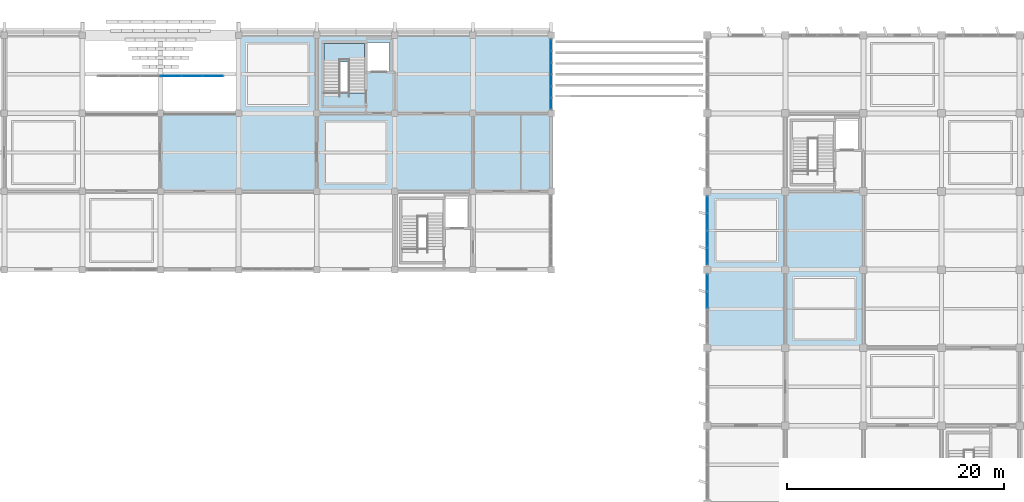
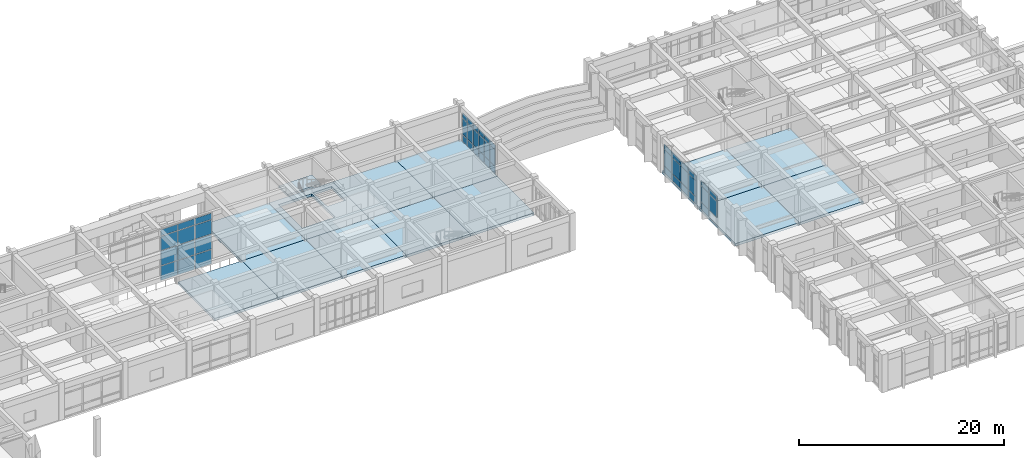
# One storey, part 48 of 81: 47 plates, 14 slabs, 5 elements without a shape of their own.
"""IFC4 building model written with IfcOpenShell, lengths in metres."""

from ifc_helpers import new_model, si_unit, direction, frame, origin, origin_2d, place, context, subcontext, project, spatial, polyline, rectangle, outline, extrude, material, layer, layer_set, type_object, element, aggregate, save


model = new_model("IFC4")

# Units and contexts
model_context = context("Model", 3, precision=1e-05, world=origin(), true_north=direction((0.0, 1.0)))
body_context = subcontext(model_context, "Body", "Model", "MODEL_VIEW")
ifc_project = project(units=[si_unit("LENGTHUNIT", "METRE"), si_unit("AREAUNIT", "SQUARE_METRE"), si_unit("VOLUMEUNIT", "CUBIC_METRE"), si_unit("PLANEANGLEUNIT", "RADIAN"), si_unit("MASSUNIT", "GRAM", prefix="KILO")], contexts=[model_context])

# Site, building, storey
site_placement = place(None, origin())
site = spatial("IfcSite", under=ifc_project, at=site_placement, CompositionType="ELEMENT")
building_placement = place(site_placement, origin())
building = spatial("IfcBuilding", under=site, at=building_placement, Name="Kavelor Marine Aquarium", CompositionType="ELEMENT")
storey_placement = place(building_placement, frame((0.0, 0.0, 4.679931640625)))
storey = spatial("IfcBuildingStorey", under=building, at=storey_placement, Name="L01", CompositionType="ELEMENT", Elevation=4.679931640625)

# Curtain wall, plates
ifc_material_1 = material(Name="Thermally Broken Aluminium and Low-E Glass", Category="aluminium")
ifc_layer_1 = layer(ifc_material_1, 0.283935546875)
ifc_layer_set_1 = layer_set([ifc_layer_1], Name="CW-SYS18")
curtain_wall_type_1 = type_object("IfcCurtainWallType", Name="CW-SYS18", PredefinedType="USERDEFINED", material=ifc_layer_set_1)
curtain_wall_1_placement = place(storey_placement, origin())
curtain_wall_1 = element("IfcCurtainWall", 1, at=curtain_wall_1_placement, inside=storey, type_object=curtain_wall_type_1, Name="cw:portal:north:screen", ObjectType="Curtain Wall", PredefinedType="USERDEFINED")
ifc_material_2 = material(Name="Solar-Control Double Low-E Glazing", Category="glass")
ifc_layer_2 = layer(ifc_material_2, 0.035888671875)
ifc_layer_set_2 = layer_set([ifc_layer_2], Name="CWP-06")
plate_type_1 = type_object("IfcPlateType", Name="CWP-06", PredefinedType="CURTAIN_PANEL", material=ifc_layer_set_2)
plate_1_placement = place(storey_placement, frame((68.966552734375, 107.0400390625, -1.925048828125), z_axis=(0.0, 0.0, 1.0), x_axis=(1.0, 0.0, 0.0)))
plate_1 = element("IfcPlate", 2, at=plate_1_placement, type_object=plate_type_1, Name="CW18 panel 4.1", PredefinedType="CURTAIN_PANEL", context=body_context, shape_type="SweptSolid", body=[
    extrude(rectangle(XDim=1.873291015625, YDim=0.035888671875, at=origin_2d()), origin(), (0.0, 0.0, 1.0), 1.6875),
])
plate_2_placement = place(storey_placement, frame((68.966552734375, 107.0400390625, -0.16259765625), z_axis=(0.0, 0.0, 1.0), x_axis=(1.0, 0.0, 0.0)))
plate_2 = element("IfcPlate", 3, at=plate_2_placement, type_object=plate_type_1, Name="CW18 panel 4.2", PredefinedType="CURTAIN_PANEL", context=body_context, shape_type="SweptSolid", body=[
    extrude(rectangle(XDim=1.873291015625, YDim=0.035888671875, at=origin_2d()), origin(), (0.0, 0.0, 1.0), 1.72509765625),
])
plate_3_placement = place(storey_placement, frame((68.966552734375, 107.0400390625, 1.637451171875), z_axis=(0.0, 0.0, 1.0), x_axis=(1.0, 0.0, 0.0)))
plate_3 = element("IfcPlate", 4, at=plate_3_placement, type_object=plate_type_1, Name="CW18 panel 4.3", PredefinedType="CURTAIN_PANEL", context=body_context, shape_type="SweptSolid", body=[
    extrude(rectangle(XDim=1.873291015625, YDim=0.035888671875, at=origin_2d()), origin(), (0.0, 0.0, 1.0), 1.6650390625),
])
plate_4_placement = place(storey_placement, frame((68.966552734375, 107.0400390625, 3.37744140625), z_axis=(0.0, 0.0, 1.0), x_axis=(1.0, 0.0, 0.0)))
plate_4 = element("IfcPlate", 5, at=plate_4_placement, type_object=plate_type_1, Name="CW18 panel 4.4", PredefinedType="CURTAIN_PANEL", context=body_context, shape_type="SweptSolid", body=[
    extrude(rectangle(XDim=1.873291015625, YDim=0.035888671875, at=origin_2d()), origin(), (0.0, 0.0, 1.0), 0.737548828125),
])
plate_5_placement = place(storey_placement, frame((70.89990234375, 107.0400390625, -1.925048828125), z_axis=(0.0, 0.0, 1.0), x_axis=(1.0, 0.0, 0.0)))
plate_5 = element("IfcPlate", 6, at=plate_5_placement, type_object=plate_type_1, Name="CW18 panel 5.1", PredefinedType="CURTAIN_PANEL", context=body_context, shape_type="SweptSolid", body=[
    extrude(rectangle(XDim=1.873291015625, YDim=0.035888671875, at=origin_2d()), origin(), (0.0, 0.0, 1.0), 1.6875),
])
plate_6_placement = place(storey_placement, frame((70.89990234375, 107.0400390625, -0.16259765625), z_axis=(0.0, 0.0, 1.0), x_axis=(1.0, 0.0, 0.0)))
plate_6 = element("IfcPlate", 7, at=plate_6_placement, type_object=plate_type_1, Name="CW18 panel 5.2", PredefinedType="CURTAIN_PANEL", context=body_context, shape_type="SweptSolid", body=[
    extrude(rectangle(XDim=1.873291015625, YDim=0.035888671875, at=origin_2d()), origin(), (0.0, 0.0, 1.0), 1.72509765625),
])
plate_7_placement = place(storey_placement, frame((70.89990234375, 107.0400390625, 1.637451171875), z_axis=(0.0, 0.0, 1.0), x_axis=(1.0, 0.0, 0.0)))
plate_7 = element("IfcPlate", 8, at=plate_7_placement, type_object=plate_type_1, Name="CW18 panel 5.3", PredefinedType="CURTAIN_PANEL", context=body_context, shape_type="SweptSolid", body=[
    extrude(rectangle(XDim=1.873291015625, YDim=0.035888671875, at=origin_2d()), origin(), (0.0, 0.0, 1.0), 1.6650390625),
])
plate_8_placement = place(storey_placement, frame((70.89990234375, 107.0400390625, 3.37744140625), z_axis=(0.0, 0.0, 1.0), x_axis=(1.0, 0.0, 0.0)))
plate_8 = element("IfcPlate", 9, at=plate_8_placement, type_object=plate_type_1, Name="CW18 panel 5.4", PredefinedType="CURTAIN_PANEL", context=body_context, shape_type="SweptSolid", body=[
    extrude(rectangle(XDim=1.873291015625, YDim=0.035888671875, at=origin_2d()), origin(), (0.0, 0.0, 1.0), 0.737548828125),
])
plate_9_placement = place(storey_placement, frame((72.818359375, 107.0400390625, -1.925048828125), z_axis=(0.0, 0.0, 1.0), x_axis=(1.0, 0.0, 0.0)))
plate_9 = element("IfcPlate", 10, at=plate_9_placement, type_object=plate_type_1, Name="CW18 panel 6.1", PredefinedType="CURTAIN_PANEL", context=body_context, shape_type="SweptSolid", body=[
    extrude(rectangle(XDim=1.84326171875, YDim=0.035888671875, at=origin_2d()), origin(), (0.0, 0.0, 1.0), 1.6875),
])
plate_10_placement = place(storey_placement, frame((72.818359375, 107.0400390625, -0.16259765625), z_axis=(0.0, 0.0, 1.0), x_axis=(1.0, 0.0, 0.0)))
plate_10 = element("IfcPlate", 11, at=plate_10_placement, type_object=plate_type_1, Name="CW18 panel 6.2", PredefinedType="CURTAIN_PANEL", context=body_context, shape_type="SweptSolid", body=[
    extrude(rectangle(XDim=1.84326171875, YDim=0.035888671875, at=origin_2d()), origin(), (0.0, 0.0, 1.0), 1.72509765625),
])
plate_11_placement = place(storey_placement, frame((72.818359375, 107.0400390625, 1.637451171875), z_axis=(0.0, 0.0, 1.0), x_axis=(1.0, 0.0, 0.0)))
plate_11 = element("IfcPlate", 12, at=plate_11_placement, type_object=plate_type_1, Name="CW18 panel 6.3", PredefinedType="CURTAIN_PANEL", context=body_context, shape_type="SweptSolid", body=[
    extrude(rectangle(XDim=1.84326171875, YDim=0.035888671875, at=origin_2d()), origin(), (0.0, 0.0, 1.0), 1.6650390625),
])
plate_12_placement = place(storey_placement, frame((72.818359375, 107.0400390625, 3.37744140625), z_axis=(0.0, 0.0, 1.0), x_axis=(1.0, 0.0, 0.0)))
plate_12 = element("IfcPlate", 13, at=plate_12_placement, type_object=plate_type_1, Name="CW18 panel 6.4", PredefinedType="CURTAIN_PANEL", context=body_context, shape_type="SweptSolid", body=[
    extrude(rectangle(XDim=1.84326171875, YDim=0.035888671875, at=origin_2d()), origin(), (0.0, 0.0, 1.0), 0.737548828125),
])
aggregate(curtain_wall_1, [plate_1, plate_2, plate_3, plate_4, plate_5, plate_6, plate_7, plate_8, plate_9, plate_10, plate_11, plate_12])

ifc_material_3 = material(Name="Thermally Broken Aluminium and Low-E Glass", Category="aluminium")
ifc_layer_3 = layer(ifc_material_3, 0.1640625)
ifc_layer_set_3 = layer_set([ifc_layer_3], Name="CW-SYS3")
curtain_wall_type_2 = type_object("IfcCurtainWallType", Name="CW-SYS3", PredefinedType="USERDEFINED", material=ifc_layer_set_3)
curtain_wall_2_placement = place(storey_placement, origin())
curtain_wall_2 = element("IfcCurtainWall", 14, at=curtain_wall_2_placement, inside=storey, type_object=curtain_wall_type_2, Name="cw:y:L01:14_14", ObjectType="Curtain Wall", PredefinedType="USERDEFINED")
ifc_material_4 = material(Name="Solar-Control Double Low-E Glazing", Category="glass")
ifc_layer_4 = layer(ifc_material_4, 0.053955078125)
ifc_layer_set_4 = layer_set([ifc_layer_4], Name="CWP-15")
plate_type_2 = type_object("IfcPlateType", Name="CWP-15", PredefinedType="CURTAIN_PANEL", material=ifc_layer_set_4)
plate_13_placement = place(storey_placement, frame((104.0, 104.50244140625, 0.06494140625), z_axis=(0.0, 0.0, 1.0), x_axis=(0.0, 1.0, 0.0)))
plate_13 = element("IfcPlate", 15, at=plate_13_placement, type_object=plate_type_2, Name="CW03 panel 1.1", PredefinedType="CURTAIN_PANEL", context=body_context, shape_type="SweptSolid", body=[
    extrude(rectangle(XDim=0.9951171875, YDim=0.053955078125, at=origin_2d()), origin(), (0.0, 0.0, 1.0), 0.802490234375),
])
plate_14_placement = place(storey_placement, frame((104.0, 104.50244140625, 0.9326171875), z_axis=(0.0, 0.0, 1.0), x_axis=(0.0, 1.0, 0.0)))
plate_14 = element("IfcPlate", 16, at=plate_14_placement, type_object=plate_type_2, Name="CW03 panel 1.2", PredefinedType="CURTAIN_PANEL", context=body_context, shape_type="SweptSolid", body=[
    extrude(rectangle(XDim=0.9951171875, YDim=0.053955078125, at=origin_2d()), origin(), (0.0, 0.0, 1.0), 1.89501953125),
])
plate_15_placement = place(storey_placement, frame((104.0, 104.50244140625, 2.892578125), z_axis=(0.0, 0.0, 1.0), x_axis=(0.0, 1.0, 0.0)))
plate_15 = element("IfcPlate", 17, at=plate_15_placement, type_object=plate_type_2, Name="CW03 panel 1.3", PredefinedType="CURTAIN_PANEL", context=body_context, shape_type="SweptSolid", body=[
    extrude(rectangle(XDim=0.9951171875, YDim=0.053955078125, at=origin_2d()), origin(), (0.0, 0.0, 1.0), 0.552490234375),
])
plate_16_placement = place(storey_placement, frame((104.0, 105.572509765625, 0.06494140625), z_axis=(0.0, 0.0, 1.0), x_axis=(0.0, 1.0, 0.0)))
plate_16 = element("IfcPlate", 18, at=plate_16_placement, type_object=plate_type_2, Name="CW03 panel 2.1", PredefinedType="CURTAIN_PANEL", context=body_context, shape_type="SweptSolid", body=[
    extrude(rectangle(XDim=1.02490234375, YDim=0.053955078125, at=origin_2d()), origin(), (0.0, 0.0, 1.0), 0.802490234375),
])
plate_17_placement = place(storey_placement, frame((104.0, 105.572509765625, 0.9326171875), z_axis=(0.0, 0.0, 1.0), x_axis=(0.0, 1.0, 0.0)))
plate_17 = element("IfcPlate", 19, at=plate_17_placement, type_object=plate_type_2, Name="CW03 panel 2.2", PredefinedType="CURTAIN_PANEL", context=body_context, shape_type="SweptSolid", body=[
    extrude(rectangle(XDim=1.02490234375, YDim=0.053955078125, at=origin_2d()), origin(), (0.0, 0.0, 1.0), 1.89501953125),
])
plate_18_placement = place(storey_placement, frame((104.0, 105.572509765625, 2.892578125), z_axis=(0.0, 0.0, 1.0), x_axis=(0.0, 1.0, 0.0)))
plate_18 = element("IfcPlate", 20, at=plate_18_placement, type_object=plate_type_2, Name="CW03 panel 2.3", PredefinedType="CURTAIN_PANEL", context=body_context, shape_type="SweptSolid", body=[
    extrude(rectangle(XDim=1.02490234375, YDim=0.053955078125, at=origin_2d()), origin(), (0.0, 0.0, 1.0), 0.552490234375),
])
plate_19_placement = place(storey_placement, frame((104.0, 106.657470703125, 0.06494140625), z_axis=(0.0, 0.0, 1.0), x_axis=(0.0, 1.0, 0.0)))
plate_19 = element("IfcPlate", 21, at=plate_19_placement, type_object=plate_type_2, Name="CW03 panel 3.1", PredefinedType="CURTAIN_PANEL", context=body_context, shape_type="SweptSolid", body=[
    extrude(rectangle(XDim=1.02490234375, YDim=0.053955078125, at=origin_2d()), origin(), (0.0, 0.0, 1.0), 0.802490234375),
])
plate_20_placement = place(storey_placement, frame((104.0, 106.657470703125, 0.9326171875), z_axis=(0.0, 0.0, 1.0), x_axis=(0.0, 1.0, 0.0)))
plate_20 = element("IfcPlate", 22, at=plate_20_placement, type_object=plate_type_2, Name="CW03 panel 3.2", PredefinedType="CURTAIN_PANEL", context=body_context, shape_type="SweptSolid", body=[
    extrude(rectangle(XDim=1.02490234375, YDim=0.053955078125, at=origin_2d()), origin(), (0.0, 0.0, 1.0), 1.89501953125),
])
plate_21_placement = place(storey_placement, frame((104.0, 106.657470703125, 2.892578125), z_axis=(0.0, 0.0, 1.0), x_axis=(0.0, 1.0, 0.0)))
plate_21 = element("IfcPlate", 23, at=plate_21_placement, type_object=plate_type_2, Name="CW03 panel 3.3", PredefinedType="CURTAIN_PANEL", context=body_context, shape_type="SweptSolid", body=[
    extrude(rectangle(XDim=1.02490234375, YDim=0.053955078125, at=origin_2d()), origin(), (0.0, 0.0, 1.0), 0.552490234375),
])
plate_22_placement = place(storey_placement, frame((104.0, 107.742431640625, 0.06494140625), z_axis=(0.0, 0.0, 1.0), x_axis=(0.0, 1.0, 0.0)))
plate_22 = element("IfcPlate", 24, at=plate_22_placement, type_object=plate_type_2, Name="CW03 panel 4.1", PredefinedType="CURTAIN_PANEL", context=body_context, shape_type="SweptSolid", body=[
    extrude(rectangle(XDim=1.02490234375, YDim=0.053955078125, at=origin_2d()), origin(), (0.0, 0.0, 1.0), 0.802490234375),
])
plate_23_placement = place(storey_placement, frame((104.0, 107.742431640625, 0.9326171875), z_axis=(0.0, 0.0, 1.0), x_axis=(0.0, 1.0, 0.0)))
plate_23 = element("IfcPlate", 25, at=plate_23_placement, type_object=plate_type_2, Name="CW03 panel 4.2", PredefinedType="CURTAIN_PANEL", context=body_context, shape_type="SweptSolid", body=[
    extrude(rectangle(XDim=1.02490234375, YDim=0.053955078125, at=origin_2d()), origin(), (0.0, 0.0, 1.0), 1.89501953125),
])
plate_24_placement = place(storey_placement, frame((104.0, 107.742431640625, 2.892578125), z_axis=(0.0, 0.0, 1.0), x_axis=(0.0, 1.0, 0.0)))
plate_24 = element("IfcPlate", 26, at=plate_24_placement, type_object=plate_type_2, Name="CW03 panel 4.3", PredefinedType="CURTAIN_PANEL", context=body_context, shape_type="SweptSolid", body=[
    extrude(rectangle(XDim=1.02490234375, YDim=0.053955078125, at=origin_2d()), origin(), (0.0, 0.0, 1.0), 0.552490234375),
])
plate_25_placement = place(storey_placement, frame((104.0, 108.827392578125, 0.06494140625), z_axis=(0.0, 0.0, 1.0), x_axis=(0.0, 1.0, 0.0)))
plate_25 = element("IfcPlate", 27, at=plate_25_placement, type_object=plate_type_2, Name="CW03 panel 5.1", PredefinedType="CURTAIN_PANEL", context=body_context, shape_type="SweptSolid", body=[
    extrude(rectangle(XDim=1.02490234375, YDim=0.053955078125, at=origin_2d()), origin(), (0.0, 0.0, 1.0), 0.802490234375),
])
plate_26_placement = place(storey_placement, frame((104.0, 108.827392578125, 0.9326171875), z_axis=(0.0, 0.0, 1.0), x_axis=(0.0, 1.0, 0.0)))
plate_26 = element("IfcPlate", 28, at=plate_26_placement, type_object=plate_type_2, Name="CW03 panel 5.2", PredefinedType="CURTAIN_PANEL", context=body_context, shape_type="SweptSolid", body=[
    extrude(rectangle(XDim=1.02490234375, YDim=0.053955078125, at=origin_2d()), origin(), (0.0, 0.0, 1.0), 1.89501953125),
])
plate_27_placement = place(storey_placement, frame((104.0, 108.827392578125, 2.892578125), z_axis=(0.0, 0.0, 1.0), x_axis=(0.0, 1.0, 0.0)))
plate_27 = element("IfcPlate", 29, at=plate_27_placement, type_object=plate_type_2, Name="CW03 panel 5.3", PredefinedType="CURTAIN_PANEL", context=body_context, shape_type="SweptSolid", body=[
    extrude(rectangle(XDim=1.02490234375, YDim=0.053955078125, at=origin_2d()), origin(), (0.0, 0.0, 1.0), 0.552490234375),
])
plate_28_placement = place(storey_placement, frame((104.0, 109.8974609375, 0.06494140625), z_axis=(0.0, 0.0, 1.0), x_axis=(0.0, 1.0, 0.0)))
plate_28 = element("IfcPlate", 30, at=plate_28_placement, type_object=plate_type_2, Name="CW03 panel 6.1", PredefinedType="CURTAIN_PANEL", context=body_context, shape_type="SweptSolid", body=[
    extrude(rectangle(XDim=0.9951171875, YDim=0.053955078125, at=origin_2d()), origin(), (0.0, 0.0, 1.0), 0.802490234375),
])
plate_29_placement = place(storey_placement, frame((104.0, 109.8974609375, 0.9326171875), z_axis=(0.0, 0.0, 1.0), x_axis=(0.0, 1.0, 0.0)))
plate_29 = element("IfcPlate", 31, at=plate_29_placement, type_object=plate_type_2, Name="CW03 panel 6.2", PredefinedType="CURTAIN_PANEL", context=body_context, shape_type="SweptSolid", body=[
    extrude(rectangle(XDim=0.9951171875, YDim=0.053955078125, at=origin_2d()), origin(), (0.0, 0.0, 1.0), 1.89501953125),
])
plate_30_placement = place(storey_placement, frame((104.0, 109.8974609375, 2.892578125), z_axis=(0.0, 0.0, 1.0), x_axis=(0.0, 1.0, 0.0)))
plate_30 = element("IfcPlate", 32, at=plate_30_placement, type_object=plate_type_2, Name="CW03 panel 6.3", PredefinedType="CURTAIN_PANEL", context=body_context, shape_type="SweptSolid", body=[
    extrude(rectangle(XDim=0.9951171875, YDim=0.053955078125, at=origin_2d()), origin(), (0.0, 0.0, 1.0), 0.552490234375),
])
aggregate(curtain_wall_2, [plate_13, plate_14, plate_15, plate_16, plate_17, plate_18, plate_19, plate_20, plate_21, plate_22, plate_23, plate_24, plate_25, plate_26, plate_27, plate_28, plate_29, plate_30])

ifc_material_5 = material(Name="Thermally Broken Aluminium and Low-E Glass", Category="aluminium")
ifc_layer_5 = layer(ifc_material_5, 0.236083984375)
ifc_layer_set_5 = layer_set([ifc_layer_5], Name="CW-SYS12")
curtain_wall_type_3 = type_object("IfcCurtainWallType", Name="CW-SYS12", PredefinedType="USERDEFINED", material=ifc_layer_set_5)
curtain_wall_3_placement = place(storey_placement, origin())
curtain_wall_3 = element("IfcCurtainWall", 33, at=curtain_wall_3_placement, inside=storey, type_object=curtain_wall_type_3, Name="cw:y:L01:16_11", ObjectType="Curtain Wall", PredefinedType="USERDEFINED")
ifc_material_6 = material(Name="Solar-Control Double Low-E Glazing", Category="glass")
ifc_layer_6 = layer(ifc_material_6, 0.072021484375)
ifc_layer_set_6 = layer_set([ifc_layer_6], Name="CWP-24")
plate_type_3 = type_object("IfcPlateType", Name="CWP-24", PredefinedType="CURTAIN_PANEL", material=ifc_layer_set_6)
plate_31_placement = place(storey_placement, frame((118.39990234375, 87.98876953125, 0.074951171875), z_axis=(0.0, 0.0, 1.0), x_axis=(0.0, -1.0, 0.0)))
plate_31 = element("IfcPlate", 34, at=plate_31_placement, type_object=plate_type_3, Name="CW12 panel 1.1", PredefinedType="CURTAIN_PANEL", context=body_context, shape_type="SweptSolid", body=[
    extrude(rectangle(XDim=1.512451171875, YDim=0.072021484375, at=origin_2d()), origin(), (0.0, 0.0, 1.0), 0.78759765625),
])
plate_32_placement = place(storey_placement, frame((118.39990234375, 87.98876953125, 0.9375), z_axis=(0.0, 0.0, 1.0), x_axis=(0.0, -1.0, 0.0)))
plate_32 = element("IfcPlate", 35, at=plate_32_placement, type_object=plate_type_3, Name="CW12 panel 1.2", PredefinedType="CURTAIN_PANEL", context=body_context, shape_type="SweptSolid", body=[
    extrude(rectangle(XDim=1.512451171875, YDim=0.072021484375, at=origin_2d()), origin(), (0.0, 0.0, 1.0), 1.885009765625),
])
plate_33_placement = place(storey_placement, frame((118.39990234375, 87.98876953125, 2.8974609375), z_axis=(0.0, 0.0, 1.0), x_axis=(0.0, -1.0, 0.0)))
plate_33 = element("IfcPlate", 36, at=plate_33_placement, type_object=plate_type_3, Name="CW12 panel 1.3", PredefinedType="CURTAIN_PANEL", context=body_context, shape_type="SweptSolid", body=[
    extrude(rectangle(XDim=1.512451171875, YDim=0.072021484375, at=origin_2d()), origin(), (0.0, 0.0, 1.0), 0.53759765625),
])
plate_34_placement = place(storey_placement, frame((118.39990234375, 86.4013671875, 0.9375), z_axis=(0.0, 0.0, 1.0), x_axis=(0.0, -1.0, 0.0)))
plate_34 = element("IfcPlate", 37, at=plate_34_placement, type_object=plate_type_3, Name="CW12 panel 2.2", PredefinedType="CURTAIN_PANEL", context=body_context, shape_type="SweptSolid", body=[
    extrude(rectangle(XDim=1.54248046875, YDim=0.072021484375, at=origin_2d()), origin(), (0.0, 0.0, 1.0), 1.885009765625),
])
plate_35_placement = place(storey_placement, frame((118.39990234375, 86.4013671875, 2.8974609375), z_axis=(0.0, 0.0, 1.0), x_axis=(0.0, -1.0, 0.0)))
plate_35 = element("IfcPlate", 38, at=plate_35_placement, type_object=plate_type_3, Name="CW12 panel 2.3", PredefinedType="CURTAIN_PANEL", context=body_context, shape_type="SweptSolid", body=[
    extrude(rectangle(XDim=1.54248046875, YDim=0.072021484375, at=origin_2d()), origin(), (0.0, 0.0, 1.0), 0.53759765625),
])
aggregate(curtain_wall_3, [plate_31, plate_32, plate_33, plate_34, plate_35])

ifc_material_7 = material(Name="Thermally Broken Aluminium and Low-E Glass", Category="aluminium")
ifc_layer_7 = layer(ifc_material_7, 0.243896484375)
ifc_layer_set_7 = layer_set([ifc_layer_7], Name="CW-SYS13")
curtain_wall_type_4 = type_object("IfcCurtainWallType", Name="CW-SYS13", PredefinedType="USERDEFINED", material=ifc_layer_set_7)
curtain_wall_4_placement = place(storey_placement, origin())
curtain_wall_4 = element("IfcCurtainWall", 39, at=curtain_wall_4_placement, inside=storey, type_object=curtain_wall_type_4, Name="cw:y:L01:16_12", ObjectType="Curtain Wall", PredefinedType="USERDEFINED")
ifc_material_8 = material(Name="Solar-Control Double Low-E Glazing", Category="glass")
ifc_layer_8 = layer(ifc_material_8, 0.073974609375)
ifc_layer_set_8 = layer_set([ifc_layer_8], Name="CWP-25")
plate_type_4 = type_object("IfcPlateType", Name="CWP-25", PredefinedType="CURTAIN_PANEL", material=ifc_layer_set_8)
plate_36_placement = place(storey_placement, frame((118.39990234375, 95.18505859375, 0.074951171875), z_axis=(0.0, 0.0, 1.0), x_axis=(0.0, -1.0, 0.0)))
plate_36 = element("IfcPlate", 40, at=plate_36_placement, type_object=plate_type_4, Name="CW13 panel 1.1", PredefinedType="CURTAIN_PANEL", context=body_context, shape_type="SweptSolid", body=[
    extrude(rectangle(XDim=1.489990234375, YDim=0.073974609375, at=origin_2d()), origin(), (0.0, 0.0, 1.0), 0.78759765625),
])
plate_37_placement = place(storey_placement, frame((118.39990234375, 95.18505859375, 0.9375), z_axis=(0.0, 0.0, 1.0), x_axis=(0.0, -1.0, 0.0)))
plate_37 = element("IfcPlate", 41, at=plate_37_placement, type_object=plate_type_4, Name="CW13 panel 1.2", PredefinedType="CURTAIN_PANEL", context=body_context, shape_type="SweptSolid", body=[
    extrude(rectangle(XDim=1.489990234375, YDim=0.073974609375, at=origin_2d()), origin(), (0.0, 0.0, 1.0), 1.864990234375),
])
plate_38_placement = place(storey_placement, frame((118.39990234375, 95.18505859375, 2.87744140625), z_axis=(0.0, 0.0, 1.0), x_axis=(0.0, -1.0, 0.0)))
plate_38 = element("IfcPlate", 42, at=plate_38_placement, type_object=plate_type_4, Name="CW13 panel 1.3", PredefinedType="CURTAIN_PANEL", context=body_context, shape_type="SweptSolid", body=[
    extrude(rectangle(XDim=1.489990234375, YDim=0.073974609375, at=origin_2d()), origin(), (0.0, 0.0, 1.0), 0.53759765625),
])
plate_39_placement = place(storey_placement, frame((118.39990234375, 93.601318359375, 0.074951171875), z_axis=(0.0, 0.0, 1.0), x_axis=(0.0, -1.0, 0.0)))
plate_39 = element("IfcPlate", 43, at=plate_39_placement, type_object=plate_type_4, Name="CW13 panel 2.1", PredefinedType="CURTAIN_PANEL", context=body_context, shape_type="SweptSolid", body=[
    extrude(rectangle(XDim=1.527587890625, YDim=0.073974609375, at=origin_2d()), origin(), (0.0, 0.0, 1.0), 0.78759765625),
])
plate_40_placement = place(storey_placement, frame((118.39990234375, 93.601318359375, 0.9375), z_axis=(0.0, 0.0, 1.0), x_axis=(0.0, -1.0, 0.0)))
plate_40 = element("IfcPlate", 44, at=plate_40_placement, type_object=plate_type_4, Name="CW13 panel 2.2", PredefinedType="CURTAIN_PANEL", context=body_context, shape_type="SweptSolid", body=[
    extrude(rectangle(XDim=1.527587890625, YDim=0.073974609375, at=origin_2d()), origin(), (0.0, 0.0, 1.0), 1.864990234375),
])
plate_41_placement = place(storey_placement, frame((118.39990234375, 93.601318359375, 2.87744140625), z_axis=(0.0, 0.0, 1.0), x_axis=(0.0, -1.0, 0.0)))
plate_41 = element("IfcPlate", 45, at=plate_41_placement, type_object=plate_type_4, Name="CW13 panel 2.3", PredefinedType="CURTAIN_PANEL", context=body_context, shape_type="SweptSolid", body=[
    extrude(rectangle(XDim=1.527587890625, YDim=0.073974609375, at=origin_2d()), origin(), (0.0, 0.0, 1.0), 0.53759765625),
])
plate_42_placement = place(storey_placement, frame((118.39990234375, 91.998779296875, 0.074951171875), z_axis=(0.0, 0.0, 1.0), x_axis=(0.0, -1.0, 0.0)))
plate_42 = element("IfcPlate", 46, at=plate_42_placement, type_object=plate_type_4, Name="CW13 panel 3.1", PredefinedType="CURTAIN_PANEL", context=body_context, shape_type="SweptSolid", body=[
    extrude(rectangle(XDim=1.527587890625, YDim=0.073974609375, at=origin_2d()), origin(), (0.0, 0.0, 1.0), 0.78759765625),
])
plate_43_placement = place(storey_placement, frame((118.39990234375, 91.998779296875, 0.9375), z_axis=(0.0, 0.0, 1.0), x_axis=(0.0, -1.0, 0.0)))
plate_43 = element("IfcPlate", 47, at=plate_43_placement, type_object=plate_type_4, Name="CW13 panel 3.2", PredefinedType="CURTAIN_PANEL", context=body_context, shape_type="SweptSolid", body=[
    extrude(rectangle(XDim=1.527587890625, YDim=0.073974609375, at=origin_2d()), origin(), (0.0, 0.0, 1.0), 1.864990234375),
])
plate_44_placement = place(storey_placement, frame((118.39990234375, 91.998779296875, 2.87744140625), z_axis=(0.0, 0.0, 1.0), x_axis=(0.0, -1.0, 0.0)))
plate_44 = element("IfcPlate", 48, at=plate_44_placement, type_object=plate_type_4, Name="CW13 panel 3.3", PredefinedType="CURTAIN_PANEL", context=body_context, shape_type="SweptSolid", body=[
    extrude(rectangle(XDim=1.527587890625, YDim=0.073974609375, at=origin_2d()), origin(), (0.0, 0.0, 1.0), 0.53759765625),
])
plate_45_placement = place(storey_placement, frame((118.39990234375, 90.4150390625, 0.074951171875), z_axis=(0.0, 0.0, 1.0), x_axis=(0.0, -1.0, 0.0)))
plate_45 = element("IfcPlate", 49, at=plate_45_placement, type_object=plate_type_4, Name="CW13 panel 4.1", PredefinedType="CURTAIN_PANEL", context=body_context, shape_type="SweptSolid", body=[
    extrude(rectangle(XDim=1.489990234375, YDim=0.073974609375, at=origin_2d()), origin(), (0.0, 0.0, 1.0), 0.78759765625),
])
plate_46_placement = place(storey_placement, frame((118.39990234375, 90.4150390625, 0.9375), z_axis=(0.0, 0.0, 1.0), x_axis=(0.0, -1.0, 0.0)))
plate_46 = element("IfcPlate", 50, at=plate_46_placement, type_object=plate_type_4, Name="CW13 panel 4.2", PredefinedType="CURTAIN_PANEL", context=body_context, shape_type="SweptSolid", body=[
    extrude(rectangle(XDim=1.489990234375, YDim=0.073974609375, at=origin_2d()), origin(), (0.0, 0.0, 1.0), 1.864990234375),
])
plate_47_placement = place(storey_placement, frame((118.39990234375, 90.4150390625, 2.87744140625), z_axis=(0.0, 0.0, 1.0), x_axis=(0.0, -1.0, 0.0)))
plate_47 = element("IfcPlate", 51, at=plate_47_placement, type_object=plate_type_4, Name="CW13 panel 4.3", PredefinedType="CURTAIN_PANEL", context=body_context, shape_type="SweptSolid", body=[
    extrude(rectangle(XDim=1.489990234375, YDim=0.073974609375, at=origin_2d()), origin(), (0.0, 0.0, 1.0), 0.53759765625),
])
aggregate(curtain_wall_4, [plate_36, plate_37, plate_38, plate_39, plate_40, plate_41, plate_42, plate_43, plate_44, plate_45, plate_46, plate_47])

# Stair, slab
ifc_material_9 = material(Name="Concrete C40/50", Category="concrete")
stair_type = type_object("IfcStairType", Name="ST-T2", PredefinedType="HALF_TURN_STAIR", material=ifc_material_9)
stair_placement = place(storey_placement, origin())
stair = element("IfcStair", 52, at=stair_placement, inside=storey, type_object=stair_type, Name="Exit Stair ST06 (L01)", PredefinedType="HALF_TURN_STAIR")
ifc_material_10 = material(Name="Concrete C40/50", Category="concrete")
ifc_layer_9 = layer(ifc_material_10, 0.199951171875)
ifc_layer_set_9 = layer_set([ifc_layer_9], Name="LND-T2")
slab_type_1 = type_object("IfcSlabType", Name="LND-T2", PredefinedType="LANDING", material=ifc_layer_set_9)
slab_1_placement = place(storey_placement, frame((0.0, 0.0, 2.050048828125)))
slab_1 = element("IfcSlab", 53, at=slab_1_placement, type_object=slab_type_1, Name="ST06 landing 1", PredefinedType="LANDING", context=body_context, shape_type="SweptSolid", body=[
    extrude(outline(polyline([(83.06005859375, 108.340087890625), (86.820068359375, 108.340087890625), (86.820068359375, 110.06005859375), (83.06005859375, 110.06005859375), (83.06005859375, 108.340087890625)])), origin(), (0.0, 0.0, 1.0), 0.199951171875),
])
aggregate(stair, [slab_1])

# Slabs
ifc_material_11 = material(Name="Concrete C40/50", Category="concrete")
ifc_layer_10 = layer(ifc_material_11, 0.300048828125)
ifc_layer_set_10 = layer_set([ifc_layer_10], Name="SL-FL1")
slab_type_2 = type_object("IfcSlabType", Name="SL-FL1", PredefinedType="FLOOR", material=ifc_layer_set_10)
slab_2_placement = place(storey_placement, frame((0.0, 0.0, -0.300048828125)))
element("IfcSlab", 54, at=slab_2_placement, inside=storey, type_object=slab_type_2, Name="slab:L01:09_13", PredefinedType="FLOOR", context=body_context, shape_type="SweptSolid", body=[
    extrude(outline(polyline([(68.0, 96.39990234375), (75.199951171875, 96.39990234375), (75.199951171875, 103.60009765625), (68.0, 103.60009765625), (68.0, 96.39990234375)])), origin(), (0.0, 0.0, 1.0), 0.300048828125),
])
slab_3_placement = place(storey_placement, frame((0.0, 0.0, -0.300048828125)))
element("IfcSlab", 55, at=slab_3_placement, inside=storey, type_object=slab_type_2, Name="slab:L01:10_13", PredefinedType="FLOOR", context=body_context, shape_type="SweptSolid", body=[
    extrude(outline(polyline([(75.199951171875, 96.39990234375), (82.39990234375, 96.39990234375), (82.39990234375, 103.60009765625), (75.199951171875, 103.60009765625), (75.199951171875, 96.39990234375)])), origin(), (0.0, 0.0, 1.0), 0.300048828125),
])
slab_4_placement = place(storey_placement, frame((0.0, 0.0, -0.300048828125)))
element("IfcSlab", 56, at=slab_4_placement, inside=storey, type_object=slab_type_2, Name="slab:L01:10_14", PredefinedType="FLOOR", context=body_context, shape_type="SweptSolid", body=[
    extrude(outline(polyline([(75.199951171875, 103.60009765625), (82.39990234375, 103.60009765625), (82.39990234375, 110.800048828125), (75.199951171875, 110.800048828125), (75.199951171875, 103.60009765625)])), origin(), (0.0, 0.0, 1.0), 0.300048828125),
])
slab_5_placement = place(storey_placement, frame((0.0, 0.0, -0.300048828125)))
element("IfcSlab", 57, at=slab_5_placement, inside=storey, type_object=slab_type_2, Name="slab:L01:11_13", PredefinedType="FLOOR", context=body_context, shape_type="SweptSolid", body=[
    extrude(outline(polyline([(82.39990234375, 96.39990234375), (89.60009765625, 96.39990234375), (89.60009765625, 103.60009765625), (82.39990234375, 103.60009765625), (82.39990234375, 96.39990234375)])), origin(), (0.0, 0.0, 1.0), 0.300048828125),
])
slab_6_placement = place(storey_placement, frame((0.0, 0.0, -0.300048828125)))
element("IfcSlab", 58, at=slab_6_placement, inside=storey, type_object=slab_type_2, Name="slab:L01:11_14", PredefinedType="FLOOR", context=body_context, shape_type="SweptSolid", body=[
    extrude(outline(polyline([(82.39990234375, 103.60009765625), (89.60009765625, 103.60009765625), (89.60009765625, 110.800048828125), (82.39990234375, 110.800048828125), (82.39990234375, 103.60009765625)]), holes=[polyline([(83.080078125, 105.48291015625), (86.800048828125, 105.48291015625), (86.800048828125, 110.070068359375), (83.080078125, 110.070068359375), (83.080078125, 105.48291015625)]), polyline([(87.06005859375, 107.449951171875), (89.10009765625, 107.449951171875), (89.10009765625, 110.14990234375), (87.0, 110.14990234375), (87.06005859375, 107.449951171875)])]), origin(), (0.0, 0.0, 1.0), 0.300048828125),
])
slab_7_placement = place(storey_placement, frame((0.0, 0.0, -0.300048828125)))
element("IfcSlab", 59, at=slab_7_placement, inside=storey, type_object=slab_type_2, Name="slab:L01:12_13", PredefinedType="FLOOR", context=body_context, shape_type="SweptSolid", body=[
    extrude(outline(polyline([(89.60009765625, 96.39990234375), (96.800048828125, 96.39990234375), (96.800048828125, 103.60009765625), (89.60009765625, 103.60009765625), (89.60009765625, 96.39990234375)])), origin(), (0.0, 0.0, 1.0), 0.300048828125),
])
slab_8_placement = place(storey_placement, frame((0.0, 0.0, -0.300048828125)))
element("IfcSlab", 60, at=slab_8_placement, inside=storey, type_object=slab_type_2, Name="slab:L01:12_14", PredefinedType="FLOOR", context=body_context, shape_type="SweptSolid", body=[
    extrude(outline(polyline([(89.60009765625, 103.60009765625), (96.800048828125, 103.60009765625), (96.800048828125, 110.800048828125), (89.60009765625, 110.800048828125), (89.60009765625, 103.60009765625)])), origin(), (0.0, 0.0, 1.0), 0.300048828125),
])
slab_9_placement = place(storey_placement, frame((0.0, 0.0, -0.300048828125)))
element("IfcSlab", 61, at=slab_9_placement, inside=storey, type_object=slab_type_2, Name="slab:L01:13_13", PredefinedType="FLOOR", context=body_context, shape_type="SweptSolid", body=[
    extrude(outline(polyline([(96.800048828125, 96.39990234375), (104.0, 96.39990234375), (104.0, 103.60009765625), (96.800048828125, 103.60009765625), (96.800048828125, 96.39990234375)])), origin(), (0.0, 0.0, 1.0), 0.300048828125),
])
slab_10_placement = place(storey_placement, frame((0.0, 0.0, -0.300048828125)))
element("IfcSlab", 62, at=slab_10_placement, inside=storey, type_object=slab_type_2, Name="slab:L01:13_14", PredefinedType="FLOOR", context=body_context, shape_type="SweptSolid", body=[
    extrude(outline(polyline([(96.800048828125, 103.60009765625), (104.0, 103.60009765625), (104.0, 110.800048828125), (96.800048828125, 110.800048828125), (96.800048828125, 103.60009765625)])), origin(), (0.0, 0.0, 1.0), 0.300048828125),
])
slab_11_placement = place(storey_placement, frame((0.0, 0.0, -0.300048828125)))
element("IfcSlab", 63, at=slab_11_placement, inside=storey, type_object=slab_type_2, Name="slab:L01:16_11", PredefinedType="FLOOR", context=body_context, shape_type="SweptSolid", body=[
    extrude(outline(polyline([(118.39990234375, 82.0), (125.60009765625, 82.0), (125.60009765625, 89.199951171875), (118.39990234375, 89.199951171875), (118.39990234375, 82.0)])), origin(), (0.0, 0.0, 1.0), 0.300048828125),
])
slab_12_placement = place(storey_placement, frame((0.0, 0.0, -0.300048828125)))
element("IfcSlab", 64, at=slab_12_placement, inside=storey, type_object=slab_type_2, Name="slab:L01:16_12", PredefinedType="FLOOR", context=body_context, shape_type="SweptSolid", body=[
    extrude(outline(polyline([(118.39990234375, 89.199951171875), (125.60009765625, 89.199951171875), (125.60009765625, 96.39990234375), (118.39990234375, 96.39990234375), (118.39990234375, 89.199951171875)])), origin(), (0.0, 0.0, 1.0), 0.300048828125),
])
slab_13_placement = place(storey_placement, frame((0.0, 0.0, -0.300048828125)))
element("IfcSlab", 65, at=slab_13_placement, inside=storey, type_object=slab_type_2, Name="slab:L01:17_11", PredefinedType="FLOOR", context=body_context, shape_type="SweptSolid", body=[
    extrude(outline(polyline([(125.60009765625, 82.0), (132.800048828125, 82.0), (132.800048828125, 89.199951171875), (125.60009765625, 89.199951171875), (125.60009765625, 82.0)])), origin(), (0.0, 0.0, 1.0), 0.300048828125),
])
slab_14_placement = place(storey_placement, frame((0.0, 0.0, -0.300048828125)))
element("IfcSlab", 66, at=slab_14_placement, inside=storey, type_object=slab_type_2, Name="slab:L01:17_12", PredefinedType="FLOOR", context=body_context, shape_type="SweptSolid", body=[
    extrude(outline(polyline([(125.60009765625, 89.199951171875), (132.800048828125, 89.199951171875), (132.800048828125, 96.39990234375), (125.60009765625, 96.39990234375), (125.60009765625, 89.199951171875)])), origin(), (0.0, 0.0, 1.0), 0.300048828125),
])

save(model, "model.ifc")
